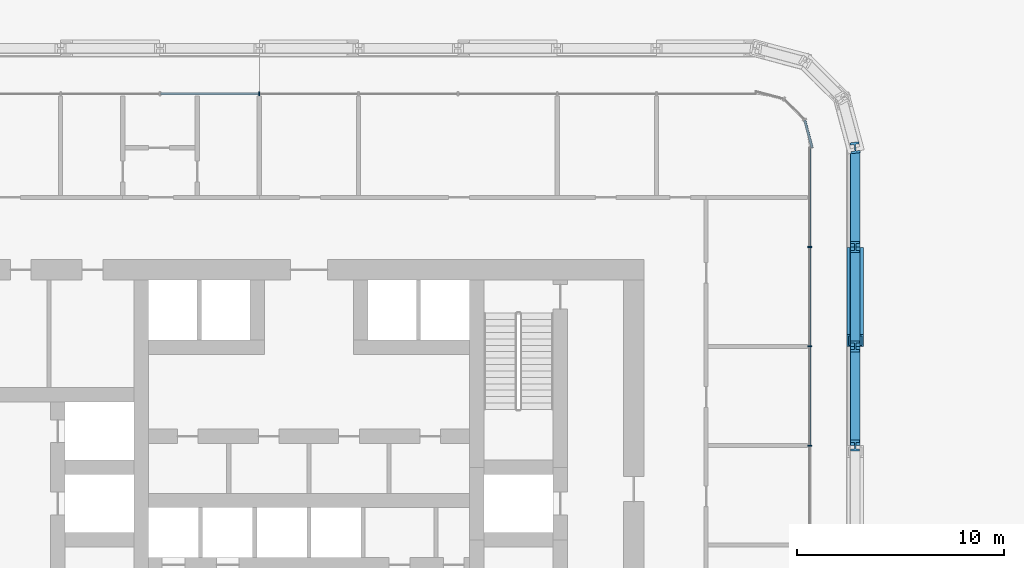
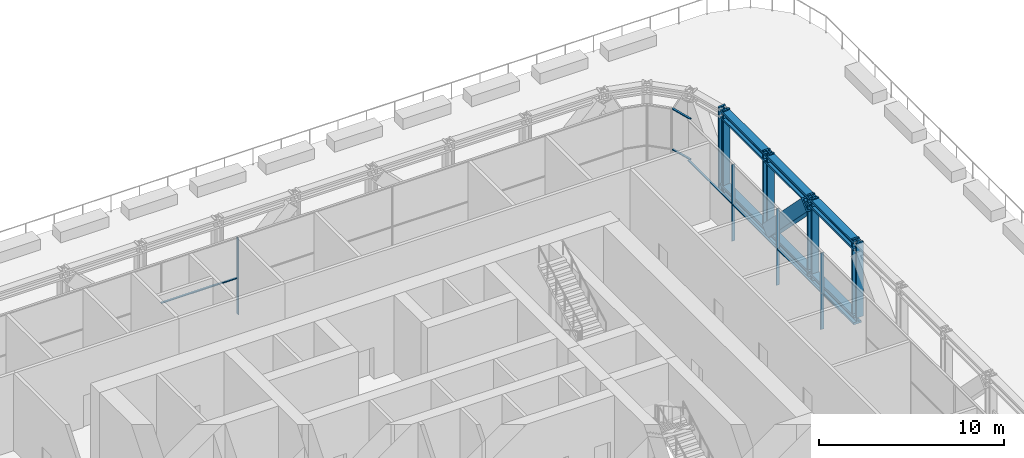
# One storey, part 8 of 22: 21 members, 3 elements without a shape of their own.
"""IFC4 building model written with IfcOpenShell, lengths in metres."""

from ifc_helpers import new_model, si_unit, direction, frame, origin, origin_2d, place, context, subcontext, project, spatial, rectangle, hollow_rectangle, i_section, extrude, material, layer, layer_set, material_profile, profile_set, type_object, element, aggregate, save


model = new_model("IFC4")

# Units and contexts
model_context = context("Model", 3, precision=1e-05, world=origin(), true_north=direction((0.0, 1.0)))
body_context = subcontext(model_context, "Body", "Model", "MODEL_VIEW")
ifc_project = project(units=[si_unit("LENGTHUNIT", "METRE"), si_unit("AREAUNIT", "SQUARE_METRE"), si_unit("VOLUMEUNIT", "CUBIC_METRE"), si_unit("PLANEANGLEUNIT", "RADIAN"), si_unit("MASSUNIT", "GRAM", prefix="KILO")], contexts=[model_context])

# Site, building, storey
site_placement = place(None, origin())
site = spatial("IfcSite", under=ifc_project, at=site_placement, CompositionType="ELEMENT")
building_placement = place(site_placement, origin())
building = spatial("IfcBuilding", under=site, at=building_placement, Name="Madar Terraces", CompositionType="ELEMENT")
storey_placement = place(building_placement, frame((0.0, 0.0, 24.0)))
storey = spatial("IfcBuildingStorey", under=building, at=storey_placement, Name="L05", CompositionType="ELEMENT", Elevation=24.0)

# Members
ifc_material_1 = material(Name="Steel ASTM A913 Grade 65", Category="steel")
ifc_material_profile_1 = material_profile(ifc_material_1, i_section(OverallWidth=0.4775390625, OverallDepth=0.599365234375, WebThickness=0.10009765625, FlangeThickness=0.139892578125, at=origin_2d()), Name="W14x873")
ifc_profile_set_1 = profile_set([ifc_material_profile_1], Name="Steel ASTM A913 Grade 65")
member_type_1 = type_object("IfcMemberType", Name="BC1 W14x873", PredefinedType="CHORD", material=ifc_profile_set_1)
member_1_placement = place(storey_placement, frame((57.60009765625, 28.800048828125, -0.120361328125), z_axis=(0.0, 1.0, 0.0), x_axis=(-1.0, 0.0, 0.0)))
element("IfcMember", 1, at=member_1_placement, inside=storey, type_object=member_type_1, Name="Exoskeleton truss ring bottom chord BC1", PredefinedType="CHORD", context=body_context, shape_type="SweptSolid", body=[
    extrude(i_section(OverallWidth=0.4775390625, OverallDepth=0.599365234375, WebThickness=0.10009765625, FlangeThickness=0.139892578125, at=origin_2d()), origin(), (0.0, 0.0, 1.0), 4.800048828125),
])
member_2_placement = place(storey_placement, frame((57.60009765625, 33.60009765625, -0.120361328125), z_axis=(0.0, 1.0, 0.0), x_axis=(-1.0, 0.0, 0.0)))
element("IfcMember", 2, at=member_2_placement, inside=storey, type_object=member_type_1, Name="Exoskeleton truss ring bottom chord BC1", PredefinedType="CHORD", context=body_context, shape_type="SweptSolid", body=[
    extrude(i_section(OverallWidth=0.4775390625, OverallDepth=0.599365234375, WebThickness=0.10009765625, FlangeThickness=0.139892578125, at=origin_2d()), origin(), (0.0, 0.0, 1.0), 4.7998046875),
])
member_3_placement = place(storey_placement, frame((57.60009765625, 38.39990234375, -0.120361328125), z_axis=(0.0, 1.0, 0.0), x_axis=(-1.0, 0.0, 0.0)))
element("IfcMember", 3, at=member_3_placement, inside=storey, type_object=member_type_1, Name="Exoskeleton truss ring bottom chord BC1", PredefinedType="CHORD", context=body_context, shape_type="SweptSolid", body=[
    extrude(i_section(OverallWidth=0.4775390625, OverallDepth=0.599365234375, WebThickness=0.10009765625, FlangeThickness=0.139892578125, at=origin_2d()), origin(), (0.0, 0.0, 1.0), 4.800048828125),
])

# Curtain wall, members
ifc_material_2 = material(Name="Glass, ceramic frit dark grey, with black aluminium frame", Category="aluminium")
ifc_layer = layer(ifc_material_2, 0.199951171875)
ifc_layer_set = layer_set([ifc_layer], Name="Facade curtain wall, tall glazing")
curtain_wall_type = type_object("IfcCurtainWallType", Name="Facade curtain wall, tall glazing", PredefinedType="NOTDEFINED", material=ifc_layer_set)
curtain_wall_1_placement = place(storey_placement, origin())
curtain_wall_1 = element("IfcCurtainWall", 4, at=curtain_wall_1_placement, inside=storey, type_object=curtain_wall_type, Name="Outer skin curtain wall east bay 1", PredefinedType="NOTDEFINED")
ifc_material_3 = material(Name="Aluminium, black anodised", Category="aluminium")
ifc_material_profile_2 = material_profile(ifc_material_3, rectangle(XDim=0.199951171875, YDim=0.06005859375, at=origin_2d()), Name="Facade mullion 60x200")
ifc_profile_set_2 = profile_set([ifc_material_profile_2], Name="Aluminium, black anodised")
member_type_2 = type_object("IfcMemberType", Name="Facade mullion 60x200", PredefinedType="MULLION", material=ifc_profile_set_2)
member_4_placement = place(storey_placement, frame((55.39990234375, 28.800048828125, 0.0), z_axis=(0.0, 0.0, 1.0), x_axis=(-1.0, 0.0, 0.0)))
member_4 = element("IfcMember", 5, at=member_4_placement, type_object=member_type_2, Name="Mullion 5", PredefinedType="MULLION", context=body_context, shape_type="SweptSolid", body=[
    extrude(rectangle(XDim=0.199951171875, YDim=0.06005859375, at=origin_2d()), origin(), (0.0, 0.0, 1.0), 5.0400390625),
])
member_5_placement = place(storey_placement, frame((55.39990234375, 33.60009765625, 0.0), z_axis=(0.0, 0.0, 1.0), x_axis=(-1.0, 0.0, 0.0)))
member_5 = element("IfcMember", 6, at=member_5_placement, type_object=member_type_2, Name="Mullion 6", PredefinedType="MULLION", context=body_context, shape_type="SweptSolid", body=[
    extrude(rectangle(XDim=0.199951171875, YDim=0.06005859375, at=origin_2d()), origin(), (0.0, 0.0, 1.0), 5.0400390625),
])
member_6_placement = place(storey_placement, frame((55.39990234375, 38.39990234375, 0.0), z_axis=(0.0, 0.0, 1.0), x_axis=(-1.0, 0.0, 0.0)))
member_6 = element("IfcMember", 7, at=member_6_placement, type_object=member_type_2, Name="Mullion 7", PredefinedType="MULLION", context=body_context, shape_type="SweptSolid", body=[
    extrude(rectangle(XDim=0.199951171875, YDim=0.06005859375, at=origin_2d()), origin(), (0.0, 0.0, 1.0), 5.0400390625),
])

# Curtain wall, member
curtain_wall_2_placement = place(storey_placement, origin())
curtain_wall_2 = element("IfcCurtainWall", 8, at=curtain_wall_2_placement, inside=storey, type_object=curtain_wall_type, Name="Outer skin curtain wall north bay 1", PredefinedType="NOTDEFINED")
member_7_placement = place(storey_placement, frame((28.800048828125, 45.800048828125, 0.0), z_axis=(0.0, 0.0, 1.0), x_axis=(0.0, -1.0, 0.0)))
member_7 = element("IfcMember", 9, at=member_7_placement, type_object=member_type_2, Name="Mullion 5", PredefinedType="MULLION", context=body_context, shape_type="SweptSolid", body=[
    extrude(rectangle(XDim=0.199951171875, YDim=0.06005859375, at=origin_2d()), origin(), (0.0, 0.0, 1.0), 5.0400390625),
])

# Member
ifc_material_4 = material(Name="Aluminium, black anodised", Category="aluminium")
ifc_material_profile_3 = material_profile(ifc_material_4, rectangle(XDim=0.1201171875, YDim=0.06005859375, at=origin_2d()), Name="Facade transom 60x120")
ifc_profile_set_3 = profile_set([ifc_material_profile_3], Name="Aluminium, black anodised")
member_type_3 = type_object("IfcMemberType", Name="Facade transom 60x120", PredefinedType="USERDEFINED", material=ifc_profile_set_3)
member_8_placement = place(storey_placement, frame((55.39990234375, 28.830078125, 2.39990234375), z_axis=(0.0, 1.0, 0.0), x_axis=(-1.0, 0.0, 0.0)))
member_8 = element("IfcMember", 10, at=member_8_placement, type_object=member_type_3, Name="Transom 7", ObjectType="TRANSOM", PredefinedType="USERDEFINED", context=body_context, shape_type="SweptSolid", body=[
    extrude(rectangle(XDim=0.1201171875, YDim=0.06005859375, at=origin_2d()), origin(), (0.0, 0.0, 1.0), 4.739990234375),
])

member_9_placement = place(storey_placement, frame((55.39990234375, 33.6298828125, 2.39990234375), z_axis=(0.0, 1.0, 0.0), x_axis=(-1.0, 0.0, 0.0)))
member_9 = element("IfcMember", 11, at=member_9_placement, type_object=member_type_3, Name="Transom 8", ObjectType="TRANSOM", PredefinedType="USERDEFINED", context=body_context, shape_type="SweptSolid", body=[
    extrude(rectangle(XDim=0.1201171875, YDim=0.06005859375, at=origin_2d()), origin(), (0.0, 0.0, 1.0), 4.740234375),
])

member_10_placement = place(storey_placement, frame((55.39990234375, 38.429931640625, 2.39990234375), z_axis=(0.0, 1.0, 0.0), x_axis=(-1.0, 0.0, 0.0)))
member_10 = element("IfcMember", 12, at=member_10_placement, type_object=member_type_3, Name="Transom 9", ObjectType="TRANSOM", PredefinedType="USERDEFINED", context=body_context, shape_type="SweptSolid", body=[
    extrude(rectangle(XDim=0.1201171875, YDim=0.06005859375, at=origin_2d()), origin(), (0.0, 0.0, 1.0), 4.77001953125),
])

aggregate(curtain_wall_1, [member_4, member_5, member_6, member_8, member_9, member_10])

member_11_placement = place(storey_placement, frame((28.77001953125, 45.800048828125, 2.39990234375), z_axis=(-1.0, 0.0, 0.0), x_axis=(0.0, -1.0, 0.0)))
member_11 = element("IfcMember", 13, at=member_11_placement, type_object=member_type_3, Name="Transom 7", ObjectType="TRANSOM", PredefinedType="USERDEFINED", context=body_context, shape_type="SweptSolid", body=[
    extrude(rectangle(XDim=0.1201171875, YDim=0.06005859375, at=origin_2d()), origin(), (0.0, 0.0, 1.0), 4.739990234375),
])

aggregate(curtain_wall_2, [member_7, member_11])

# Curtain wall, members
curtain_wall_3_placement = place(storey_placement, origin())
curtain_wall_3 = element("IfcCurtainWall", 14, at=curtain_wall_3_placement, inside=storey, type_object=curtain_wall_type, Name="Outer skin curtain wall north-east corner", PredefinedType="NOTDEFINED")
member_12_placement = place(storey_placement, frame((55.52001953125, 43.199951171875, 5.070068359375), z_axis=(-0.258842352791, 0.965919580711, 0.0), x_axis=(-0.965919580711, -0.258842352791, 0.0)))
member_12 = element("IfcMember", 15, at=member_12_placement, type_object=member_type_3, Name="Transom 1", ObjectType="TRANSOM", PredefinedType="USERDEFINED", context=body_context, shape_type="SweptSolid", body=[
    extrude(rectangle(XDim=0.1201171875, YDim=0.06005859375, at=origin_2d()), origin(), (0.0, 0.0, 1.0), 1.3779296875),
])
member_13_placement = place(storey_placement, frame((55.52001953125, 43.199951171875, 2.39990234375), z_axis=(-0.258842352791, 0.965919580711, 0.0), x_axis=(-0.965919580711, -0.258842352791, 0.0)))
member_13 = element("IfcMember", 16, at=member_13_placement, type_object=member_type_3, Name="Transom 2", ObjectType="TRANSOM", PredefinedType="USERDEFINED", context=body_context, shape_type="SweptSolid", body=[
    extrude(rectangle(XDim=0.1201171875, YDim=0.06005859375, at=origin_2d()), origin(), (0.0, 0.0, 1.0), 1.3779296875),
])
aggregate(curtain_wall_3, [member_12, member_13])

# Members
ifc_material_5 = material(Name="Steel ASTM A913 Grade 65", Category="steel")
ifc_material_profile_4 = material_profile(ifc_material_5, i_section(OverallWidth=0.45458984375, OverallDepth=0.56884765625, WebThickness=0.077880859375, FlangeThickness=0.124755859375, at=origin_2d()), Name="W14x730")
ifc_profile_set_4 = profile_set([ifc_material_profile_4], Name="Steel ASTM A913 Grade 65")
member_type_4 = type_object("IfcMemberType", Name="TC1 W14x730", PredefinedType="CHORD", material=ifc_profile_set_4)
member_14_placement = place(storey_placement, frame((57.60009765625, 28.800048828125, 4.74560546875), z_axis=(0.0, 1.0, 0.0), x_axis=(-1.0, 0.0, 0.0)))
element("IfcMember", 17, at=member_14_placement, inside=storey, type_object=member_type_4, Name="Exoskeleton truss ring top chord TC1", PredefinedType="CHORD", context=body_context, shape_type="SweptSolid", body=[
    extrude(i_section(OverallWidth=0.45458984375, OverallDepth=0.56884765625, WebThickness=0.077880859375, FlangeThickness=0.124755859375, at=origin_2d()), origin(), (0.0, 0.0, 1.0), 4.800048828125),
])
member_15_placement = place(storey_placement, frame((57.60009765625, 33.60009765625, 4.74560546875), z_axis=(0.0, 1.0, 0.0), x_axis=(-1.0, 0.0, 0.0)))
element("IfcMember", 18, at=member_15_placement, inside=storey, type_object=member_type_4, Name="Exoskeleton truss ring top chord TC1", PredefinedType="CHORD", context=body_context, shape_type="SweptSolid", body=[
    extrude(i_section(OverallWidth=0.45458984375, OverallDepth=0.56884765625, WebThickness=0.077880859375, FlangeThickness=0.124755859375, at=origin_2d()), origin(), (0.0, 0.0, 1.0), 4.7998046875),
])
member_16_placement = place(storey_placement, frame((57.60009765625, 38.39990234375, 4.74560546875), z_axis=(0.0, 1.0, 0.0), x_axis=(-1.0, 0.0, 0.0)))
element("IfcMember", 19, at=member_16_placement, inside=storey, type_object=member_type_4, Name="Exoskeleton truss ring top chord TC1", PredefinedType="CHORD", context=body_context, shape_type="SweptSolid", body=[
    extrude(i_section(OverallWidth=0.45458984375, OverallDepth=0.56884765625, WebThickness=0.077880859375, FlangeThickness=0.124755859375, at=origin_2d()), origin(), (0.0, 0.0, 1.0), 4.800048828125),
])
ifc_material_6 = material(Name="Steel ASTM A572 Grade 50", Category="steel")
ifc_material_profile_5 = material_profile(ifc_material_6, hollow_rectangle(XDim=0.800048828125, YDim=0.800048828125, WallThickness=0.080078125, at=origin_2d()), Name="BOX800x800x80")
ifc_profile_set_5 = profile_set([ifc_material_profile_5], Name="Steel ASTM A572 Grade 50")
member_type_5 = type_object("IfcMemberType", Name="TD1 BOX800x800x80", PredefinedType="BRACE", material=ifc_profile_set_5)
member_17_placement = place(storey_placement, frame((57.60009765625, 33.880615234375, 4.4609375), z_axis=(0.0, 0.702280003428, -0.711900833533), x_axis=(-1.0, 0.0, 0.0)))
element("IfcMember", 20, at=member_17_placement, inside=storey, type_object=member_type_5, Name="Exoskeleton truss ring diagonal TD1", PredefinedType="BRACE", context=body_context, shape_type="SweptSolid", body=[
    extrude(hollow_rectangle(XDim=0.800048828125, YDim=0.800048828125, WallThickness=0.080078125, at=origin_2d()), origin(), (0.0, 0.0, 1.0), 6.01416015625),
])
ifc_material_7 = material(Name="Steel ASTM A913 Grade 65", Category="steel")
ifc_material_profile_6 = material_profile(ifc_material_7, i_section(OverallWidth=0.44189453125, OverallDepth=0.53076171875, WebThickness=0.06591796875, FlangeThickness=0.105712890625, at=origin_2d()), Name="W14x605")
ifc_profile_set_6 = profile_set([ifc_material_profile_6], Name="Steel ASTM A913 Grade 65")
member_type_6 = type_object("IfcMemberType", Name="TV1 W14x605", PredefinedType="POST", material=ifc_profile_set_6)
member_18_placement = place(storey_placement, frame((57.60009765625, 28.800048828125, 0.179443359375), z_axis=(0.0, 0.0, 1.0), x_axis=(-1.0, 0.0, 0.0)))
element("IfcMember", 21, at=member_18_placement, inside=storey, type_object=member_type_6, Name="Exoskeleton truss ring post TV1", PredefinedType="POST", context=body_context, shape_type="SweptSolid", body=[
    extrude(i_section(OverallWidth=0.44189453125, OverallDepth=0.53076171875, WebThickness=0.06591796875, FlangeThickness=0.105712890625, at=origin_2d()), origin(), (0.0, 0.0, 1.0), 4.920654296875),
])
member_19_placement = place(storey_placement, frame((57.60009765625, 33.60009765625, -0.419921875), z_axis=(0.0, 0.0, 1.0), x_axis=(-1.0, 0.0, 0.0)))
element("IfcMember", 22, at=member_19_placement, inside=storey, type_object=member_type_6, Name="Exoskeleton truss ring post TV1", PredefinedType="POST", context=body_context, shape_type="SweptSolid", body=[
    extrude(i_section(OverallWidth=0.44189453125, OverallDepth=0.53076171875, WebThickness=0.06591796875, FlangeThickness=0.105712890625, at=origin_2d()), origin(), (0.0, 0.0, 1.0), 5.52001953125),
])
member_20_placement = place(storey_placement, frame((57.60009765625, 38.39990234375, 0.179443359375), z_axis=(0.0, 0.0, 1.0), x_axis=(-1.0, 0.0, 0.0)))
element("IfcMember", 23, at=member_20_placement, inside=storey, type_object=member_type_6, Name="Exoskeleton truss ring post TV1", PredefinedType="POST", context=body_context, shape_type="SweptSolid", body=[
    extrude(i_section(OverallWidth=0.44189453125, OverallDepth=0.53076171875, WebThickness=0.06591796875, FlangeThickness=0.105712890625, at=origin_2d()), origin(), (0.0, 0.0, 1.0), 4.920654296875),
])
member_21_placement = place(storey_placement, frame((57.60009765625, 43.199951171875, -0.419921875), z_axis=(0.0, 0.0, 1.0), x_axis=(-0.991444863652, -0.130526174916, 0.0)))
element("IfcMember", 24, at=member_21_placement, inside=storey, type_object=member_type_6, Name="Exoskeleton truss ring post TV1", PredefinedType="POST", context=body_context, shape_type="SweptSolid", body=[
    extrude(i_section(OverallWidth=0.44189453125, OverallDepth=0.53076171875, WebThickness=0.06591796875, FlangeThickness=0.105712890625, at=origin_2d()), origin(), (0.0, 0.0, 1.0), 5.52001953125),
])

save(model, "model.ifc")
